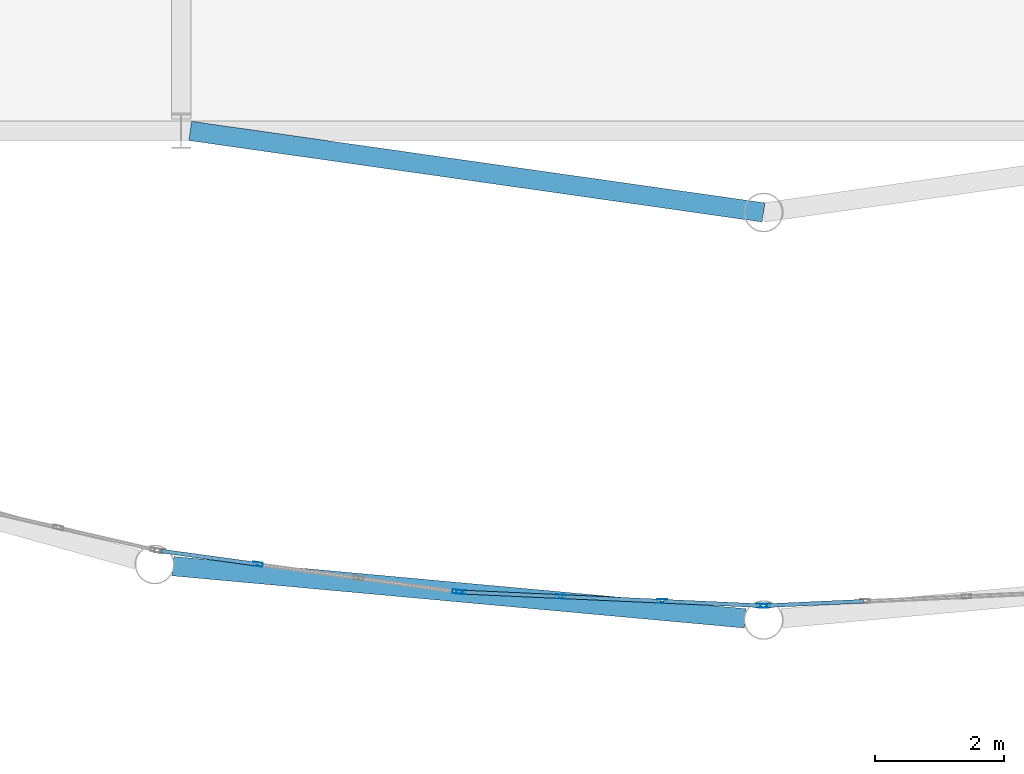
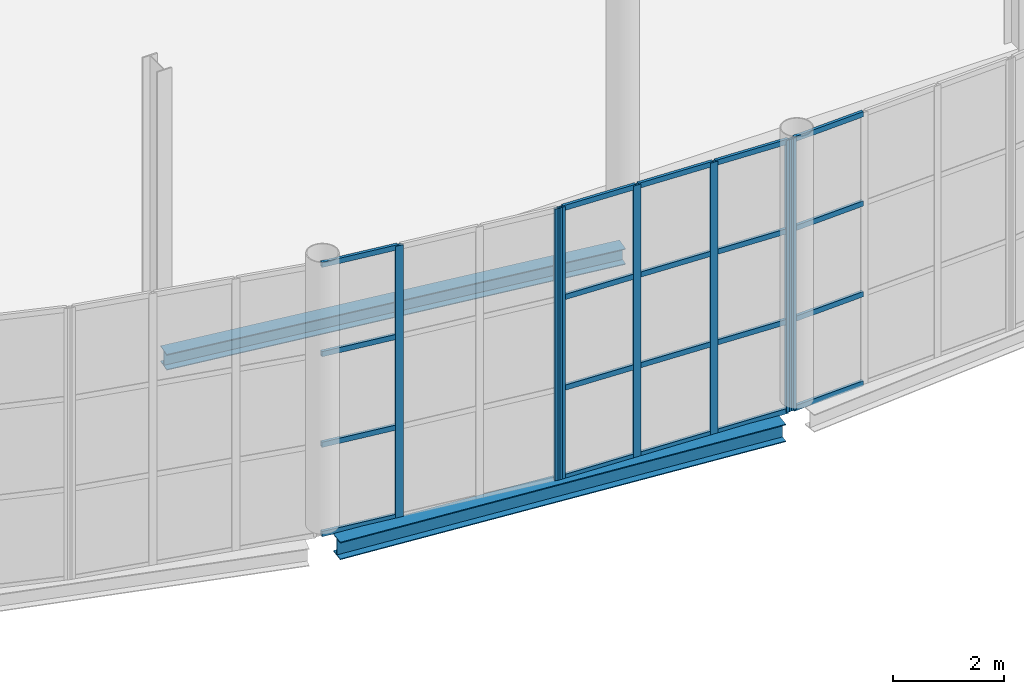
# One storey, part 42 of 191: 27 members, 2 beams, 3 elements without a shape of their own.
"""IFC4 building model written with IfcOpenShell, lengths in metres."""

from ifc_helpers import new_model, si_unit, direction, frame, origin, origin_2d, place, context, subcontext, project, spatial, hollow_rectangle, i_section, extrude, material, layer, layer_set, material_profile, profile_set, type_object, element, aggregate, save


model = new_model("IFC4")

# Units and contexts
model_context = context("Model", 3, precision=1e-05, world=origin(), true_north=direction((0.0, 1.0)))
body_context = subcontext(model_context, "Body", "Model", "MODEL_VIEW")
ifc_project = project(units=[si_unit("LENGTHUNIT", "METRE"), si_unit("AREAUNIT", "SQUARE_METRE"), si_unit("VOLUMEUNIT", "CUBIC_METRE"), si_unit("PLANEANGLEUNIT", "RADIAN"), si_unit("MASSUNIT", "GRAM", prefix="KILO")], contexts=[model_context])

# Site, building, storey
site_placement = place(None, origin())
site = spatial("IfcSite", under=ifc_project, at=site_placement, CompositionType="ELEMENT")
building_placement = place(site_placement, origin())
building = spatial("IfcBuilding", under=site, at=building_placement, Name="Tamarisk Ironworks Central Station", CompositionType="ELEMENT")
storey_placement = place(building_placement, frame((0.0, 0.0, 6.60009765625)))
storey = spatial("IfcBuildingStorey", under=building, at=storey_placement, Name="L01", CompositionType="ELEMENT", Elevation=6.60009765625)

# Beams
ifc_material_1 = material(Name="Structural steel S355J2", Category="steel")
ifc_material_profile_1 = material_profile(ifc_material_1, i_section(OverallWidth=0.300048828125, OverallDepth=0.389892578125, WebThickness=0.010986328125, FlangeThickness=0.01904296875, at=origin_2d()), Name="HEA 400")
ifc_profile_set_1 = profile_set([ifc_material_profile_1], Name="Structural steel S355J2")
beam_type_1 = type_object("IfcBeamType", Name="BM-G07", PredefinedType="BEAM", material=ifc_profile_set_1)
beam_1_placement = place(storey_placement, frame((71.872802734375, 4.07373046875, -0.5751953125), z_axis=(0.995863406654, -0.090862947823, 0.0), x_axis=(0.090862947823, 0.995863406654, 0.0)))
element("IfcBeam", 1, at=beam_1_placement, inside=storey, type_object=beam_type_1, Name="SN rounded nose L01 chord girder 005", PredefinedType="BEAM", context=body_context, shape_type="SweptSolid", body=[
    extrude(i_section(OverallWidth=0.300048828125, OverallDepth=0.389892578125, WebThickness=0.010986328125, FlangeThickness=0.01904296875, at=origin_2d()), origin(), (0.0, 0.0, 1.0), 8.880126953125),
])
ifc_material_profile_2 = material_profile(ifc_material_1, i_section(OverallWidth=0.300048828125, OverallDepth=0.35009765625, WebThickness=0.010009765625, FlangeThickness=0.017578125, at=origin_2d()), Name="HEA 360")
ifc_profile_set_2 = profile_set([ifc_material_profile_2], Name="Structural steel S355J2")
beam_type_2 = type_object("IfcBeamType", Name="BM-G08", PredefinedType="BEAM", material=ifc_profile_set_2)
beam_2_placement = place(storey_placement, frame((72.139892578125, 10.800048828125, -0.580078125), z_axis=(0.990038775739, -0.140794966289, 0.0), x_axis=(0.140794966289, 0.990038775739, 0.0)))
element("IfcBeam", 2, at=beam_2_placement, inside=storey, type_object=beam_type_2, Name="SN arch crown tie beam 013", PredefinedType="BEAM", context=body_context, shape_type="SweptSolid", body=[
    extrude(i_section(OverallWidth=0.300048828125, OverallDepth=0.35009765625, WebThickness=0.010009765625, FlangeThickness=0.017578125, at=origin_2d()), origin(), (0.0, 0.0, 1.0), 8.94921875),
])

# Curtain wall, members
ifc_material_2 = material(Name="Anodized aluminium alloy 6063-T6", Category="aluminium")
ifc_layer = layer(ifc_material_2, 0.179931640625)
ifc_layer_set = layer_set([ifc_layer], Name="Anodized aluminium alloy 6063-T6")
curtain_wall_type = type_object("IfcCurtainWallType", Name="CW-02", PredefinedType="USERDEFINED", material=ifc_layer_set)
curtain_wall_1_placement = place(storey_placement, origin())
curtain_wall_1 = element("IfcCurtainWall", 3, at=curtain_wall_1_placement, inside=storey, type_object=curtain_wall_type, Name="SN rounded entrance hall L01 curtain wall bay 05", ObjectType="GLAZED CURTAIN WALL", PredefinedType="USERDEFINED")
ifc_material_profile_3 = material_profile(ifc_material_2, hollow_rectangle(XDim=0.06005859375, YDim=0.14990234375, WallThickness=0.00341796875, at=origin_2d()), Name="ALUM 150x60")
ifc_profile_set_3 = profile_set([ifc_material_profile_3], Name="Anodized aluminium alloy 6063-T6")
member_type_1 = type_object("IfcMemberType", Name="CWM-03", PredefinedType="MULLION", material=ifc_profile_set_3)
member_1_placement = place(storey_placement, frame((73.1845703125, 4.102294921875, -0.385009765625), z_axis=(0.0, 0.0, 1.0), x_axis=(0.136041725218, 0.990703108403, 0.0)))
member_1 = element("IfcMember", 4, at=member_1_placement, type_object=member_type_1, Name="CW02 mullion 2", PredefinedType="MULLION", context=body_context, shape_type="SweptSolid", body=[
    extrude(hollow_rectangle(XDim=0.06005859375, YDim=0.14990234375, WallThickness=0.00341796875, at=origin_2d()), origin(), (0.0, 0.0, 1.0), 6.0048828125),
])
member_2_placement = place(storey_placement, frame((76.265380859375, 3.67919921875, -0.385009765625), z_axis=(0.0, 0.0, 1.0), x_axis=(0.136041725218, 0.990703108403, 0.0)))
member_2 = element("IfcMember", 5, at=member_2_placement, type_object=member_type_1, Name="CW02 mullion 4", PredefinedType="MULLION", context=body_context, shape_type="SweptSolid", body=[
    extrude(hollow_rectangle(XDim=0.06005859375, YDim=0.14990234375, WallThickness=0.00341796875, at=origin_2d()), origin(), (0.0, 0.0, 1.0), 6.0048828125),
])

curtain_wall_2_placement = place(storey_placement, origin())
curtain_wall_2 = element("IfcCurtainWall", 6, at=curtain_wall_2_placement, inside=storey, type_object=curtain_wall_type, Name="SN rounded entrance hall L01 curtain wall bay 06", ObjectType="GLAZED CURTAIN WALL", PredefinedType="USERDEFINED")
member_3_placement = place(storey_placement, frame((76.3251953125, 3.673828125, -0.385009765625), z_axis=(0.0, 0.0, 1.0), x_axis=(0.045480859558, 0.998965210312, 0.0)))
member_3 = element("IfcMember", 7, at=member_3_placement, type_object=member_type_1, Name="CW02 mullion 1", PredefinedType="MULLION", context=body_context, shape_type="SweptSolid", body=[
    extrude(hollow_rectangle(XDim=0.06005859375, YDim=0.14990234375, WallThickness=0.00341796875, at=origin_2d()), origin(), (0.0, 0.0, 1.0), 6.0048828125),
])
member_4_placement = place(storey_placement, frame((77.863525390625, 3.603759765625, -0.385009765625), z_axis=(0.0, 0.0, 1.0), x_axis=(0.045480859558, 0.998965210312, 0.0)))
member_4 = element("IfcMember", 8, at=member_4_placement, type_object=member_type_1, Name="CW02 mullion 2", PredefinedType="MULLION", context=body_context, shape_type="SweptSolid", body=[
    extrude(hollow_rectangle(XDim=0.06005859375, YDim=0.14990234375, WallThickness=0.00341796875, at=origin_2d()), origin(), (0.0, 0.0, 1.0), 6.0048828125),
])
member_5_placement = place(storey_placement, frame((79.431640625, 3.532470703125, -0.385009765625), z_axis=(0.0, 0.0, 1.0), x_axis=(0.045480859558, 0.998965210312, 0.0)))
member_5 = element("IfcMember", 9, at=member_5_placement, type_object=member_type_1, Name="CW02 mullion 3", PredefinedType="MULLION", context=body_context, shape_type="SweptSolid", body=[
    extrude(hollow_rectangle(XDim=0.06005859375, YDim=0.14990234375, WallThickness=0.00341796875, at=origin_2d()), origin(), (0.0, 0.0, 1.0), 6.0048828125),
])
member_6_placement = place(storey_placement, frame((80.969970703125, 3.46240234375, -0.385009765625), z_axis=(0.0, 0.0, 1.0), x_axis=(0.045480859558, 0.998965210312, 0.0)))
member_6 = element("IfcMember", 10, at=member_6_placement, type_object=member_type_1, Name="CW02 mullion 4", PredefinedType="MULLION", context=body_context, shape_type="SweptSolid", body=[
    extrude(hollow_rectangle(XDim=0.06005859375, YDim=0.14990234375, WallThickness=0.00341796875, at=origin_2d()), origin(), (0.0, 0.0, 1.0), 6.0048828125),
])

# Curtain wall, member
curtain_wall_3_placement = place(storey_placement, origin())
curtain_wall_3 = element("IfcCurtainWall", 11, at=curtain_wall_3_placement, inside=storey, type_object=curtain_wall_type, Name="SN rounded entrance hall L01 curtain wall bay 07", ObjectType="GLAZED CURTAIN WALL", PredefinedType="USERDEFINED")
member_7_placement = place(storey_placement, frame((81.030029296875, 3.46240234375, -0.385009765625), z_axis=(0.0, 0.0, 1.0), x_axis=(-0.045480859558, 0.998965210312, 0.0)))
member_7 = element("IfcMember", 12, at=member_7_placement, type_object=member_type_1, Name="CW02 mullion 1", PredefinedType="MULLION", context=body_context, shape_type="SweptSolid", body=[
    extrude(hollow_rectangle(XDim=0.06005859375, YDim=0.14990234375, WallThickness=0.00341796875, at=origin_2d()), origin(), (0.0, 0.0, 1.0), 6.0048828125),
])

# Member
ifc_material_profile_4 = material_profile(ifc_material_2, hollow_rectangle(XDim=0.06005859375, YDim=0.114990234375, WallThickness=0.00341796875, at=origin_2d()), Name="ALUM 115x60")
ifc_profile_set_4 = profile_set([ifc_material_profile_4], Name="Anodized aluminium alloy 6063-T6")
member_type_2 = type_object("IfcMemberType", Name="CWT-03", PredefinedType="USERDEFINED", material=ifc_profile_set_4)
member_8_placement = place(storey_placement, frame((71.684814453125, 4.308349609375, -0.35498046875), z_axis=(0.99070594436, -0.136021071195, 0.0), x_axis=(0.136021071195, 0.99070594436, 0.0)))
member_8 = element("IfcMember", 13, at=member_8_placement, type_object=member_type_2, Name="CW02 transom 1.1", ObjectType="TRANSOM", PredefinedType="USERDEFINED", context=body_context, shape_type="SweptSolid", body=[
    extrude(hollow_rectangle(XDim=0.06005859375, YDim=0.114990234375, WallThickness=0.00341796875, at=origin_2d()), origin(), (0.0, 0.0, 1.0), 1.488037109375),
])

member_9_placement = place(storey_placement, frame((71.684814453125, 4.308349609375, 1.61669921875), z_axis=(0.99070594436, -0.136021071195, 0.0), x_axis=(0.136021071195, 0.99070594436, 0.0)))
member_9 = element("IfcMember", 14, at=member_9_placement, type_object=member_type_2, Name="CW02 transom 1.2", ObjectType="TRANSOM", PredefinedType="USERDEFINED", context=body_context, shape_type="SweptSolid", body=[
    extrude(hollow_rectangle(XDim=0.06005859375, YDim=0.114990234375, WallThickness=0.00341796875, at=origin_2d()), origin(), (0.0, 0.0, 1.0), 1.488037109375),
])

member_10_placement = place(storey_placement, frame((71.684814453125, 4.308349609375, 3.6181640625), z_axis=(0.99070594436, -0.136021071195, 0.0), x_axis=(0.136021071195, 0.99070594436, 0.0)))
member_10 = element("IfcMember", 15, at=member_10_placement, type_object=member_type_2, Name="CW02 transom 1.3", ObjectType="TRANSOM", PredefinedType="USERDEFINED", context=body_context, shape_type="SweptSolid", body=[
    extrude(hollow_rectangle(XDim=0.06005859375, YDim=0.114990234375, WallThickness=0.00341796875, at=origin_2d()), origin(), (0.0, 0.0, 1.0), 1.488037109375),
])

member_11_placement = place(storey_placement, frame((71.684814453125, 4.308349609375, 5.58984375), z_axis=(0.99070594436, -0.136021071195, 0.0), x_axis=(0.136021071195, 0.99070594436, 0.0)))
member_11 = element("IfcMember", 16, at=member_11_placement, type_object=member_type_2, Name="CW02 transom 1.4", ObjectType="TRANSOM", PredefinedType="USERDEFINED", context=body_context, shape_type="SweptSolid", body=[
    extrude(hollow_rectangle(XDim=0.06005859375, YDim=0.114990234375, WallThickness=0.00341796875, at=origin_2d()), origin(), (0.0, 0.0, 1.0), 1.488037109375),
])

aggregate(curtain_wall_1, [member_1, member_2, member_8, member_9, member_10, member_11])

member_12_placement = place(storey_placement, frame((76.35107421875, 3.672607421875, -0.35498046875), z_axis=(0.99896650926, -0.04545231982, 0.0), x_axis=(0.04545231982, 0.99896650926, 0.0)))
member_12 = element("IfcMember", 17, at=member_12_placement, type_object=member_type_2, Name="CW02 transom 1.1", ObjectType="TRANSOM", PredefinedType="USERDEFINED", context=body_context, shape_type="SweptSolid", body=[
    extrude(hollow_rectangle(XDim=0.06005859375, YDim=0.114990234375, WallThickness=0.00341796875, at=origin_2d()), origin(), (0.0, 0.0, 1.0), 1.48779296875),
])

member_13_placement = place(storey_placement, frame((76.35107421875, 3.672607421875, 1.61669921875), z_axis=(0.99896650926, -0.04545231982, 0.0), x_axis=(0.04545231982, 0.99896650926, 0.0)))
member_13 = element("IfcMember", 18, at=member_13_placement, type_object=member_type_2, Name="CW02 transom 1.2", ObjectType="TRANSOM", PredefinedType="USERDEFINED", context=body_context, shape_type="SweptSolid", body=[
    extrude(hollow_rectangle(XDim=0.06005859375, YDim=0.114990234375, WallThickness=0.00341796875, at=origin_2d()), origin(), (0.0, 0.0, 1.0), 1.48779296875),
])

member_14_placement = place(storey_placement, frame((76.35107421875, 3.672607421875, 3.6181640625), z_axis=(0.99896650926, -0.04545231982, 0.0), x_axis=(0.04545231982, 0.99896650926, 0.0)))
member_14 = element("IfcMember", 19, at=member_14_placement, type_object=member_type_2, Name="CW02 transom 1.3", ObjectType="TRANSOM", PredefinedType="USERDEFINED", context=body_context, shape_type="SweptSolid", body=[
    extrude(hollow_rectangle(XDim=0.06005859375, YDim=0.114990234375, WallThickness=0.00341796875, at=origin_2d()), origin(), (0.0, 0.0, 1.0), 1.48779296875),
])

member_15_placement = place(storey_placement, frame((76.35107421875, 3.672607421875, 5.58984375), z_axis=(0.99896650926, -0.04545231982, 0.0), x_axis=(0.04545231982, 0.99896650926, 0.0)))
member_15 = element("IfcMember", 20, at=member_15_placement, type_object=member_type_2, Name="CW02 transom 1.4", ObjectType="TRANSOM", PredefinedType="USERDEFINED", context=body_context, shape_type="SweptSolid", body=[
    extrude(hollow_rectangle(XDim=0.06005859375, YDim=0.114990234375, WallThickness=0.00341796875, at=origin_2d()), origin(), (0.0, 0.0, 1.0), 1.48779296875),
])

member_16_placement = place(storey_placement, frame((77.889404296875, 3.6025390625, -0.35498046875), z_axis=(0.998970860292, -0.04535659034, 0.0), x_axis=(0.04535659034, 0.998970860292, 0.0)))
member_16 = element("IfcMember", 21, at=member_16_placement, type_object=member_type_2, Name="CW02 transom 2.1", ObjectType="TRANSOM", PredefinedType="USERDEFINED", context=body_context, shape_type="SweptSolid", body=[
    extrude(hollow_rectangle(XDim=0.06005859375, YDim=0.114990234375, WallThickness=0.00341796875, at=origin_2d()), origin(), (0.0, 0.0, 1.0), 1.517822265625),
])

member_17_placement = place(storey_placement, frame((77.889404296875, 3.6025390625, 1.61669921875), z_axis=(0.998970860292, -0.04535659034, 0.0), x_axis=(0.04535659034, 0.998970860292, 0.0)))
member_17 = element("IfcMember", 22, at=member_17_placement, type_object=member_type_2, Name="CW02 transom 2.2", ObjectType="TRANSOM", PredefinedType="USERDEFINED", context=body_context, shape_type="SweptSolid", body=[
    extrude(hollow_rectangle(XDim=0.06005859375, YDim=0.114990234375, WallThickness=0.00341796875, at=origin_2d()), origin(), (0.0, 0.0, 1.0), 1.517822265625),
])

member_18_placement = place(storey_placement, frame((77.889404296875, 3.6025390625, 3.6181640625), z_axis=(0.998970860292, -0.04535659034, 0.0), x_axis=(0.04535659034, 0.998970860292, 0.0)))
member_18 = element("IfcMember", 23, at=member_18_placement, type_object=member_type_2, Name="CW02 transom 2.3", ObjectType="TRANSOM", PredefinedType="USERDEFINED", context=body_context, shape_type="SweptSolid", body=[
    extrude(hollow_rectangle(XDim=0.06005859375, YDim=0.114990234375, WallThickness=0.00341796875, at=origin_2d()), origin(), (0.0, 0.0, 1.0), 1.517822265625),
])

member_19_placement = place(storey_placement, frame((77.889404296875, 3.6025390625, 5.58984375), z_axis=(0.998970860292, -0.04535659034, 0.0), x_axis=(0.04535659034, 0.998970860292, 0.0)))
member_19 = element("IfcMember", 24, at=member_19_placement, type_object=member_type_2, Name="CW02 transom 2.4", ObjectType="TRANSOM", PredefinedType="USERDEFINED", context=body_context, shape_type="SweptSolid", body=[
    extrude(hollow_rectangle(XDim=0.06005859375, YDim=0.114990234375, WallThickness=0.00341796875, at=origin_2d()), origin(), (0.0, 0.0, 1.0), 1.517822265625),
])

member_20_placement = place(storey_placement, frame((79.457763671875, 3.53125, -0.35498046875), z_axis=(0.99896650926, -0.04545231982, 0.0), x_axis=(0.04545231982, 0.99896650926, 0.0)))
member_20 = element("IfcMember", 25, at=member_20_placement, type_object=member_type_2, Name="CW02 transom 3.1", ObjectType="TRANSOM", PredefinedType="USERDEFINED", context=body_context, shape_type="SweptSolid", body=[
    extrude(hollow_rectangle(XDim=0.06005859375, YDim=0.114990234375, WallThickness=0.00341796875, at=origin_2d()), origin(), (0.0, 0.0, 1.0), 1.48779296875),
])

member_21_placement = place(storey_placement, frame((79.457763671875, 3.53125, 1.61669921875), z_axis=(0.99896650926, -0.04545231982, 0.0), x_axis=(0.04545231982, 0.99896650926, 0.0)))
member_21 = element("IfcMember", 26, at=member_21_placement, type_object=member_type_2, Name="CW02 transom 3.2", ObjectType="TRANSOM", PredefinedType="USERDEFINED", context=body_context, shape_type="SweptSolid", body=[
    extrude(hollow_rectangle(XDim=0.06005859375, YDim=0.114990234375, WallThickness=0.00341796875, at=origin_2d()), origin(), (0.0, 0.0, 1.0), 1.48779296875),
])

member_22_placement = place(storey_placement, frame((79.457763671875, 3.53125, 3.6181640625), z_axis=(0.99896650926, -0.04545231982, 0.0), x_axis=(0.04545231982, 0.99896650926, 0.0)))
member_22 = element("IfcMember", 27, at=member_22_placement, type_object=member_type_2, Name="CW02 transom 3.3", ObjectType="TRANSOM", PredefinedType="USERDEFINED", context=body_context, shape_type="SweptSolid", body=[
    extrude(hollow_rectangle(XDim=0.06005859375, YDim=0.114990234375, WallThickness=0.00341796875, at=origin_2d()), origin(), (0.0, 0.0, 1.0), 1.48779296875),
])

member_23_placement = place(storey_placement, frame((79.457763671875, 3.53125, 5.58984375), z_axis=(0.99896650926, -0.04545231982, 0.0), x_axis=(0.04545231982, 0.99896650926, 0.0)))
member_23 = element("IfcMember", 28, at=member_23_placement, type_object=member_type_2, Name="CW02 transom 3.4", ObjectType="TRANSOM", PredefinedType="USERDEFINED", context=body_context, shape_type="SweptSolid", body=[
    extrude(hollow_rectangle(XDim=0.06005859375, YDim=0.114990234375, WallThickness=0.00341796875, at=origin_2d()), origin(), (0.0, 0.0, 1.0), 1.48779296875),
])

aggregate(curtain_wall_2, [member_3, member_4, member_5, member_6, member_12, member_13, member_14, member_15, member_16, member_17, member_18, member_19, member_20, member_21, member_22, member_23])

member_24_placement = place(storey_placement, frame((81.055908203125, 3.463623046875, -0.35498046875), z_axis=(0.99896650926, 0.04545231982, 0.0), x_axis=(-0.04545231982, 0.99896650926, 0.0)))
member_24 = element("IfcMember", 29, at=member_24_placement, type_object=member_type_2, Name="CW02 transom 1.1", ObjectType="TRANSOM", PredefinedType="USERDEFINED", context=body_context, shape_type="SweptSolid", body=[
    extrude(hollow_rectangle(XDim=0.06005859375, YDim=0.114990234375, WallThickness=0.00341796875, at=origin_2d()), origin(), (0.0, 0.0, 1.0), 1.48779296875),
])

member_25_placement = place(storey_placement, frame((81.055908203125, 3.463623046875, 1.61669921875), z_axis=(0.99896650926, 0.04545231982, 0.0), x_axis=(-0.04545231982, 0.99896650926, 0.0)))
member_25 = element("IfcMember", 30, at=member_25_placement, type_object=member_type_2, Name="CW02 transom 1.2", ObjectType="TRANSOM", PredefinedType="USERDEFINED", context=body_context, shape_type="SweptSolid", body=[
    extrude(hollow_rectangle(XDim=0.06005859375, YDim=0.114990234375, WallThickness=0.00341796875, at=origin_2d()), origin(), (0.0, 0.0, 1.0), 1.48779296875),
])

member_26_placement = place(storey_placement, frame((81.055908203125, 3.463623046875, 3.6181640625), z_axis=(0.99896650926, 0.04545231982, 0.0), x_axis=(-0.04545231982, 0.99896650926, 0.0)))
member_26 = element("IfcMember", 31, at=member_26_placement, type_object=member_type_2, Name="CW02 transom 1.3", ObjectType="TRANSOM", PredefinedType="USERDEFINED", context=body_context, shape_type="SweptSolid", body=[
    extrude(hollow_rectangle(XDim=0.06005859375, YDim=0.114990234375, WallThickness=0.00341796875, at=origin_2d()), origin(), (0.0, 0.0, 1.0), 1.48779296875),
])

member_27_placement = place(storey_placement, frame((81.055908203125, 3.463623046875, 5.58984375), z_axis=(0.99896650926, 0.04545231982, 0.0), x_axis=(-0.04545231982, 0.99896650926, 0.0)))
member_27 = element("IfcMember", 32, at=member_27_placement, type_object=member_type_2, Name="CW02 transom 1.4", ObjectType="TRANSOM", PredefinedType="USERDEFINED", context=body_context, shape_type="SweptSolid", body=[
    extrude(hollow_rectangle(XDim=0.06005859375, YDim=0.114990234375, WallThickness=0.00341796875, at=origin_2d()), origin(), (0.0, 0.0, 1.0), 1.48779296875),
])

aggregate(curtain_wall_3, [member_7, member_24, member_25, member_26, member_27])

save(model, "model.ifc")
